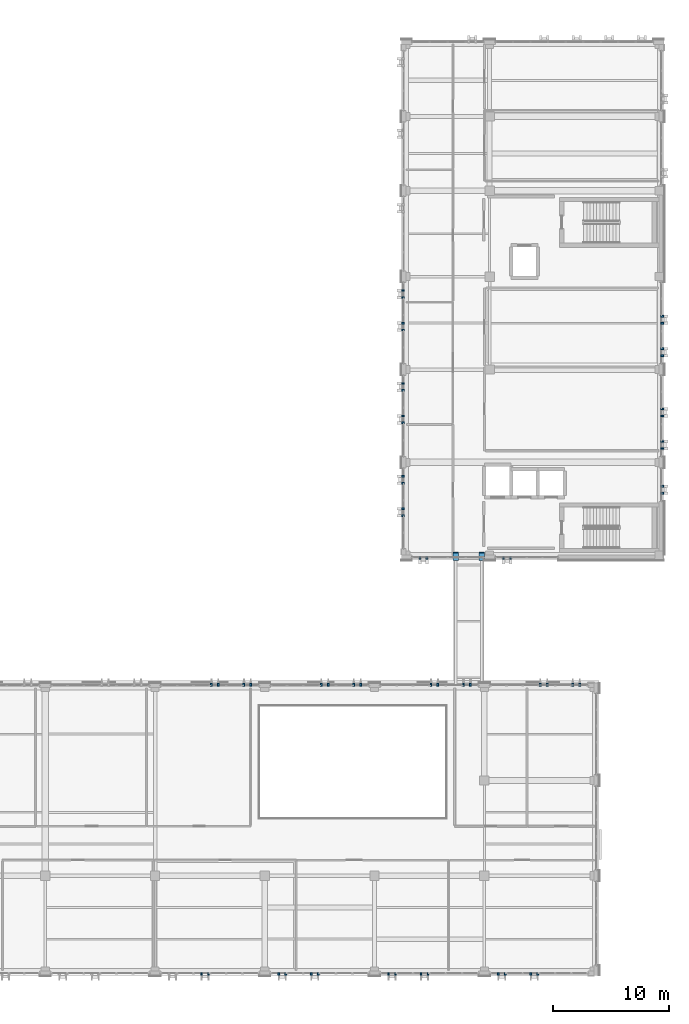
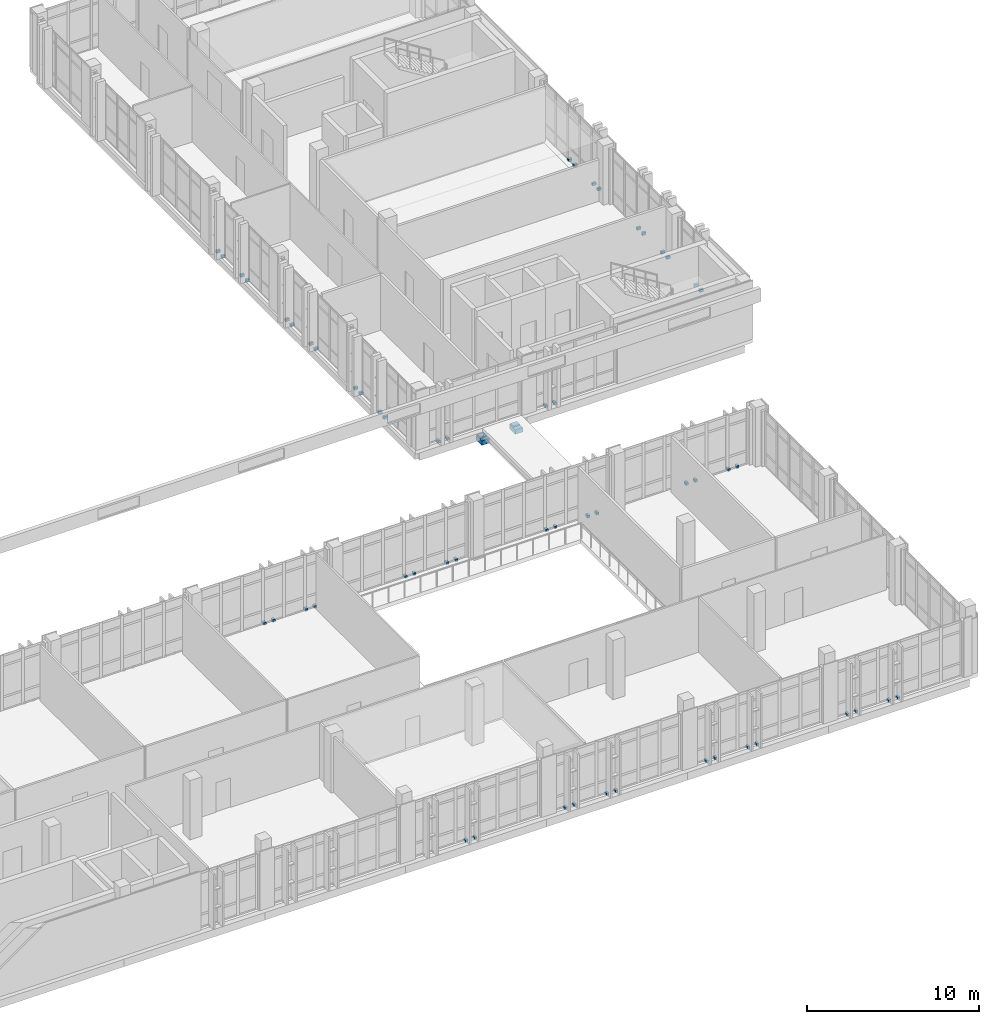
# One storey, part 139 of 158: 60 discrete accessories.
"""IFC4 building model written with IfcOpenShell, lengths in metres."""

from ifc_helpers import new_model, si_unit, direction, frame, origin, origin_2d, place, context, subcontext, project, spatial, rectangle, extrude, material, type_object, element, save


model = new_model("IFC4")

# Units and contexts
model_context = context("Model", 3, precision=1e-05, world=origin(), true_north=direction((0.0, 1.0)))
body_context = subcontext(model_context, "Body", "Model", "MODEL_VIEW")
ifc_project = project(units=[si_unit("LENGTHUNIT", "METRE"), si_unit("AREAUNIT", "SQUARE_METRE"), si_unit("VOLUMEUNIT", "CUBIC_METRE"), si_unit("PLANEANGLEUNIT", "RADIAN"), si_unit("MASSUNIT", "GRAM", prefix="KILO")], contexts=[model_context])

# Site, building, storey
site_placement = place(None, origin())
site = spatial("IfcSite", under=ifc_project, at=site_placement, CompositionType="ELEMENT")
building_placement = place(site_placement, origin())
building = spatial("IfcBuilding", under=site, at=building_placement, Name="Qalavern Law Courts", CompositionType="ELEMENT")
storey_placement = place(building_placement, frame((0.0, 0.0, 18.60009765625)))
storey = spatial("IfcBuildingStorey", under=building, at=storey_placement, Name="L04", CompositionType="ELEMENT", Elevation=18.60009765625)

# Discrete accessories
ifc_material_1 = material(Name="Steel S355", Category="steel")
discrete_accessory_type_1 = type_object("IfcDiscreteAccessoryType", Name="ENV-BRK-FIN", PredefinedType="BRACKET", material=ifc_material_1)
for number, where, z_axis, x_axis, name in (
    (1, (66.98291015625, 5.340087890625, -0.06982421875), (0.0, 0.0, 1.0), (0.0, -1.0, 0.0), "Stone blade anchor bracket 0153"),
    (2, (67.5830078125, 5.340087890625, -0.06982421875), (0.0, 0.0, 1.0), (0.0, -1.0, 0.0), "Stone blade anchor bracket 0154"),
    (3, (73.63720703125, 5.340087890625, -0.06982421875), (0.0, 0.0, 1.0), (0.0, -1.0, 0.0), "Stone blade anchor bracket 0155"),
    (4, (74.237060546875, 5.340087890625, -0.06982421875), (0.0, 0.0, 1.0), (0.0, -1.0, 0.0), "Stone blade anchor bracket 0156"),
    (5, (76.43701171875, 5.340087890625, -0.06982421875), (0.0, 0.0, 1.0), (0.0, -1.0, 0.0), "Stone blade anchor bracket 0157"),
    (6, (77.037109375, 5.340087890625, -0.06982421875), (0.0, 0.0, 1.0), (0.0, -1.0, 0.0), "Stone blade anchor bracket 0158"),
    (7, (83.09130859375, 5.340087890625, -0.06982421875), (0.0, 0.0, 1.0), (0.0, -1.0, 0.0), "Stone blade anchor bracket 0159"),
    (8, (83.69140625, 5.340087890625, -0.06982421875), (0.0, 0.0, 1.0), (0.0, -1.0, 0.0), "Stone blade anchor bracket 0160"),
    (9, (85.891357421875, 5.340087890625, -0.06982421875), (0.0, 0.0, 1.0), (0.0, -1.0, 0.0), "Stone blade anchor bracket 0161"),
    (10, (86.491455078125, 5.340087890625, -0.06982421875), (0.0, 0.0, 1.0), (0.0, -1.0, 0.0), "Stone blade anchor bracket 0162"),
    (11, (92.545654296875, 5.340087890625, -0.06982421875), (0.0, 0.0, 1.0), (0.0, -1.0, 0.0), "Stone blade anchor bracket 0163"),
    (12, (93.145751953125, 5.340087890625, -0.06982421875), (0.0, 0.0, 1.0), (0.0, -1.0, 0.0), "Stone blade anchor bracket 0164"),
    (13, (95.345703125, 5.340087890625, -0.06982421875), (0.0, 0.0, 1.0), (0.0, -1.0, 0.0), "Stone blade anchor bracket 0165"),
    (14, (95.94580078125, 5.340087890625, -0.06982421875), (0.0, 0.0, 1.0), (0.0, -1.0, 0.0), "Stone blade anchor bracket 0166"),
    (15, (99.554931640625, 30.260009765625, -0.06982421875), (0.0, 0.0, 1.0), (0.0, 1.0, 0.0), "Stone blade anchor bracket 0167"),
    (16, (98.955078125, 30.260009765625, -0.06982421875), (0.0, 0.0, 1.0), (0.0, 1.0, 0.0), "Stone blade anchor bracket 0168"),
    (17, (96.7548828125, 30.260009765625, -0.06982421875), (0.0, 0.0, 1.0), (0.0, 1.0, 0.0), "Stone blade anchor bracket 0169"),
    (18, (96.155029296875, 30.260009765625, -0.06982421875), (0.0, 0.0, 1.0), (0.0, 1.0, 0.0), "Stone blade anchor bracket 0170"),
    (19, (90.145751953125, 30.260009765625, -0.06982421875), (0.0, 0.0, 1.0), (0.0, 1.0, 0.0), "Stone blade anchor bracket 0171"),
    (20, (89.545654296875, 30.260009765625, -0.06982421875), (0.0, 0.0, 1.0), (0.0, 1.0, 0.0), "Stone blade anchor bracket 0172"),
    (21, (87.345703125, 30.260009765625, -0.06982421875), (0.0, 0.0, 1.0), (0.0, 1.0, 0.0), "Stone blade anchor bracket 0173"),
    (22, (86.74560546875, 30.260009765625, -0.06982421875), (0.0, 0.0, 1.0), (0.0, 1.0, 0.0), "Stone blade anchor bracket 0174"),
    (23, (80.69140625, 30.260009765625, -0.06982421875), (0.0, 0.0, 1.0), (0.0, 1.0, 0.0), "Stone blade anchor bracket 0175"),
    (24, (80.09130859375, 30.260009765625, -0.06982421875), (0.0, 0.0, 1.0), (0.0, 1.0, 0.0), "Stone blade anchor bracket 0176"),
    (25, (77.891357421875, 30.260009765625, -0.06982421875), (0.0, 0.0, 1.0), (0.0, 1.0, 0.0), "Stone blade anchor bracket 0177"),
    (26, (77.29150390625, 30.260009765625, -0.06982421875), (0.0, 0.0, 1.0), (0.0, 1.0, 0.0), "Stone blade anchor bracket 0178"),
    (27, (71.237060546875, 30.260009765625, -0.06982421875), (0.0, 0.0, 1.0), (0.0, 1.0, 0.0), "Stone blade anchor bracket 0179"),
    (28, (70.63720703125, 30.260009765625, -0.06982421875), (0.0, 0.0, 1.0), (0.0, 1.0, 0.0), "Stone blade anchor bracket 0180"),
    (29, (68.43701171875, 30.260009765625, -0.06982421875), (0.0, 0.0, 1.0), (0.0, 1.0, 0.0), "Stone blade anchor bracket 0181"),
    (30, (67.837158203125, 30.260009765625, -0.06982421875), (0.0, 0.0, 1.0), (0.0, 1.0, 0.0), "Stone blade anchor bracket 0182"),
    (31, (85.800048828125, 41.159912109375, -0.06982421875), (0.0, 0.0, 1.0), (0.0, -1.0, 0.0), "Stone blade anchor bracket 0667"),
    (32, (86.39990234375, 41.159912109375, -0.06982421875), (0.0, 0.0, 1.0), (0.0, -1.0, 0.0), "Stone blade anchor bracket 0668"),
    (33, (93.0, 41.159912109375, -0.06982421875), (0.0, 0.0, 1.0), (0.0, -1.0, 0.0), "Stone blade anchor bracket 0669"),
    (34, (93.60009765625, 41.159912109375, -0.06982421875), (0.0, 0.0, 1.0), (0.0, -1.0, 0.0), "Stone blade anchor bracket 0670"),
    (35, (106.659912109375, 46.75, -0.06982421875), (0.0, 0.0, 1.0), (1.0, 0.0, 0.0), "Stone blade anchor bracket 0671"),
    (36, (106.659912109375, 47.35009765625, -0.06982421875), (0.0, 0.0, 1.0), (1.0, 0.0, 0.0), "Stone blade anchor bracket 0672"),
    (37, (106.659912109375, 50.60009765625, -0.06982421875), (0.0, 0.0, 1.0), (1.0, 0.0, 0.0), "Stone blade anchor bracket 0673"),
    (38, (106.659912109375, 51.199951171875, -0.06982421875), (0.0, 0.0, 1.0), (1.0, 0.0, 0.0), "Stone blade anchor bracket 0674"),
    (39, (106.659912109375, 53.39990234375, -0.06982421875), (0.0, 0.0, 1.0), (1.0, 0.0, 0.0), "Stone blade anchor bracket 0675"),
    (40, (106.659912109375, 54.0, -0.06982421875), (0.0, 0.0, 1.0), (1.0, 0.0, 0.0), "Stone blade anchor bracket 0676"),
    (41, (106.659912109375, 58.60009765625, -0.06982421875), (0.0, 0.0, 1.0), (1.0, 0.0, 0.0), "Stone blade anchor bracket 0677"),
    (42, (106.659912109375, 59.199951171875, -0.06982421875), (0.0, 0.0, 1.0), (1.0, 0.0, 0.0), "Stone blade anchor bracket 0678"),
    (43, (106.659912109375, 61.39990234375, -0.06982421875), (0.0, 0.0, 1.0), (1.0, 0.0, 0.0), "Stone blade anchor bracket 0679"),
    (44, (106.659912109375, 62.0, -0.06982421875), (0.0, 0.0, 1.0), (1.0, 0.0, 0.0), "Stone blade anchor bracket 0680"),
    (45, (84.340087890625, 64.199951171875, -0.06982421875), (0.0, 0.0, 1.0), (-1.0, 0.0, 0.0), "Stone blade anchor bracket 0701"),
    (46, (84.340087890625, 63.60009765625, -0.06982421875), (0.0, 0.0, 1.0), (-1.0, 0.0, 0.0), "Stone blade anchor bracket 0702"),
    (47, (84.340087890625, 61.39990234375, -0.06982421875), (0.0, 0.0, 1.0), (-1.0, 0.0, 0.0), "Stone blade anchor bracket 0703"),
    (48, (84.340087890625, 60.800048828125, -0.06982421875), (0.0, 0.0, 1.0), (-1.0, 0.0, 0.0), "Stone blade anchor bracket 0704"),
    (49, (84.340087890625, 56.199951171875, -0.06982421875), (0.0, 0.0, 1.0), (-1.0, 0.0, 0.0), "Stone blade anchor bracket 0705"),
    (50, (84.340087890625, 55.60009765625, -0.06982421875), (0.0, 0.0, 1.0), (-1.0, 0.0, 0.0), "Stone blade anchor bracket 0706"),
    (51, (84.340087890625, 53.39990234375, -0.06982421875), (0.0, 0.0, 1.0), (-1.0, 0.0, 0.0), "Stone blade anchor bracket 0707"),
    (52, (84.340087890625, 52.800048828125, -0.06982421875), (0.0, 0.0, 1.0), (-1.0, 0.0, 0.0), "Stone blade anchor bracket 0708"),
    (53, (84.340087890625, 48.199951171875, -0.06982421875), (0.0, 0.0, 1.0), (-1.0, 0.0, 0.0), "Stone blade anchor bracket 0709"),
    (54, (84.340087890625, 47.60009765625, -0.06982421875), (0.0, 0.0, 1.0), (-1.0, 0.0, 0.0), "Stone blade anchor bracket 0710"),
    (55, (84.340087890625, 45.39990234375, -0.06982421875), (0.0, 0.0, 1.0), (-1.0, 0.0, 0.0), "Stone blade anchor bracket 0711"),
    (56, (84.340087890625, 44.800048828125, -0.06982421875), (0.0, 0.0, 1.0), (-1.0, 0.0, 0.0), "Stone blade anchor bracket 0712"),
):
    element("IfcDiscreteAccessory", number, at=place(storey_placement, frame(where, z_axis=z_axis, x_axis=x_axis)), inside=storey, type_object=discrete_accessory_type_1, Name=name, PredefinedType="BRACKET", context=body_context, shape_type="SweptSolid", body=[
        extrude(rectangle(XDim=0.239990234375, YDim=0.159912109375, at=origin_2d()), origin(), (0.0, 0.0, 1.0), 0.179931640625),
    ])
ifc_material_2 = material(Name="Concrete C45/55", Category="concrete")
discrete_accessory_type_2 = type_object("IfcDiscreteAccessoryType", Name="STR-CORBEL-700", PredefinedType="BRACKET", material=ifc_material_2)
for number, where, z_axis, x_axis, name in (
    (57, (88.8798828125, 41.320068359375, -1.17822265625), (0.0, 0.0, 1.0), (1.0, 0.0, 0.0), "Bridge BR-V2-V4 700 mm corbel seat 1 L04"),
    (58, (91.1201171875, 41.320068359375, -1.17822265625), (0.0, 0.0, 1.0), (1.0, 0.0, 0.0), "Bridge BR-V2-V4 700 mm corbel seat 2 L04"),
):
    element("IfcDiscreteAccessory", number, at=place(storey_placement, frame(where, z_axis=z_axis, x_axis=x_axis)), inside=storey, type_object=discrete_accessory_type_2, Name=name, PredefinedType="BRACKET", context=body_context, shape_type="SweptSolid", body=[
        extrude(rectangle(XDim=0.5, YDim=0.699951171875, at=origin_2d()), origin(), (0.0, 0.0, 1.0), 0.320068359375),
    ])
discrete_accessory_type_3 = type_object("IfcDiscreteAccessoryType", Name="STR-SHOE-PTFE350", PredefinedType="SHOE", material=ifc_material_1)
for number, where, z_axis, x_axis, name in (
    (59, (88.8798828125, 41.419921875, -0.858154296875), (0.0, 0.0, 1.0), (1.0, 0.0, 0.0), "Seismic bridge PTFE sliding bearing 41"),
    (60, (91.1201171875, 41.419921875, -0.858154296875), (0.0, 0.0, 1.0), (1.0, 0.0, 0.0), "Seismic bridge PTFE sliding bearing 42"),
):
    element("IfcDiscreteAccessory", number, at=place(storey_placement, frame(where, z_axis=z_axis, x_axis=x_axis)), inside=storey, type_object=discrete_accessory_type_3, Name=name, PredefinedType="SHOE", context=body_context, shape_type="SweptSolid", body=[
        extrude(rectangle(XDim=0.449951171875, YDim=0.35009765625, at=origin_2d()), origin(), (0.0, 0.0, 1.0), 0.080078125),
    ])

save(model, "model.ifc")
